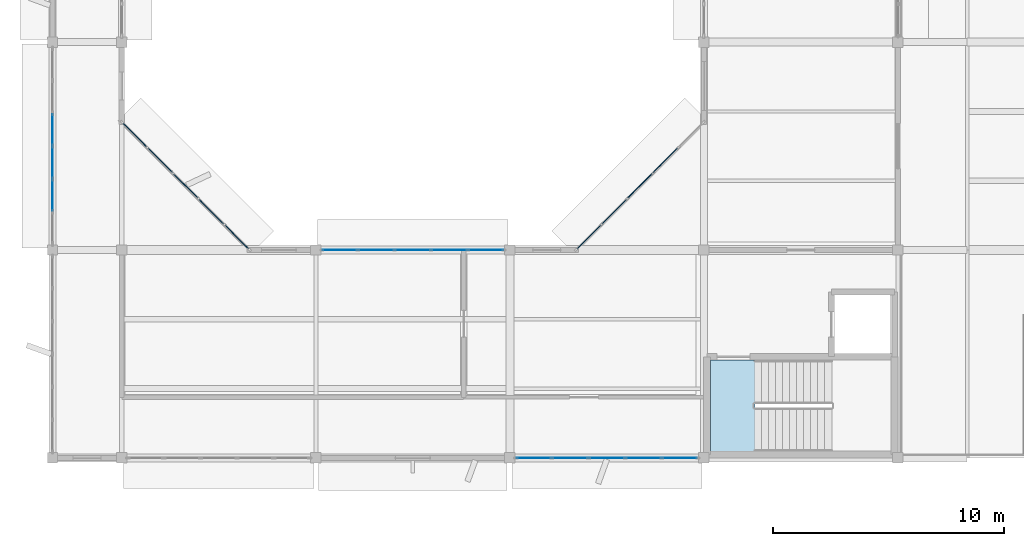
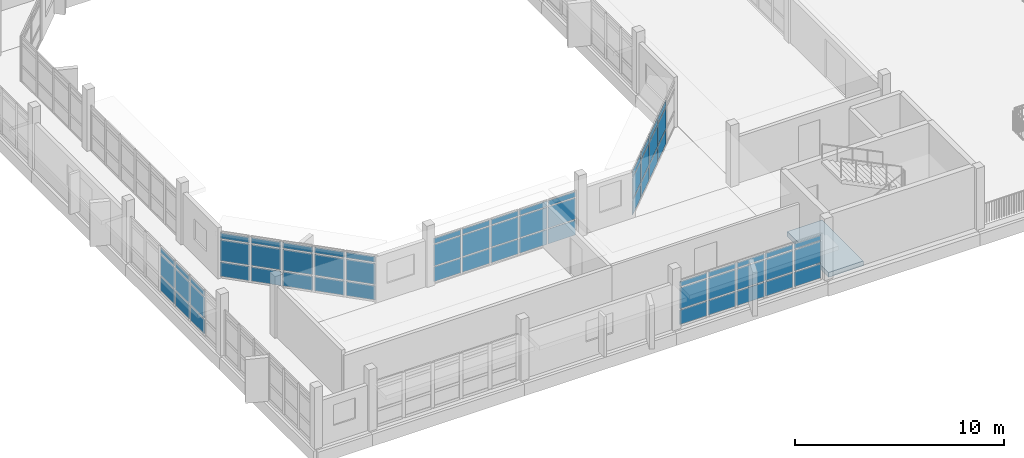
# One storey, part 17 of 42: 66 plates, 1 slab, 5 elements without a shape of their own.
"""IFC4 building model written with IfcOpenShell, lengths in metres."""

from ifc_helpers import new_model, si_unit, direction, frame, origin, origin_2d, place, context, subcontext, project, spatial, polyline, rectangle, outline, extrude, material, layer, layer_set, type_object, element, aggregate, save


model = new_model("IFC4")

# Units and contexts
model_context = context("Model", 3, precision=1e-05, world=origin(), true_north=direction((0.0, 1.0)))
body_context = subcontext(model_context, "Body", "Model", "MODEL_VIEW")
ifc_project = project(units=[si_unit("LENGTHUNIT", "METRE"), si_unit("AREAUNIT", "SQUARE_METRE"), si_unit("VOLUMEUNIT", "CUBIC_METRE"), si_unit("PLANEANGLEUNIT", "RADIAN"), si_unit("MASSUNIT", "GRAM", prefix="KILO")], contexts=[model_context])

# Site, building, storey
site_placement = place(None, origin())
site = spatial("IfcSite", under=ifc_project, at=site_placement, CompositionType="ELEMENT")
building_placement = place(site_placement, origin())
building = spatial("IfcBuilding", under=site, at=building_placement, Name="Vanh Quang Courtyard School", CompositionType="ELEMENT")
storey_placement = place(building_placement, frame((0.0, 0.0, 15.0)))
storey = spatial("IfcBuildingStorey", under=building, at=storey_placement, Name="L04", CompositionType="ELEMENT", Elevation=15.0)

# Curtain wall, plates
ifc_material_1 = material(Name="Thermally broken aluminium unitised curtain wall", Category="aluminium")
curtain_wall_type_1 = type_object("IfcCurtainWallType", Name="CW-SYS-19", PredefinedType="NOTDEFINED", material=ifc_material_1)
curtain_wall_1_placement = place(storey_placement, origin())
curtain_wall_1 = element("IfcCurtainWall", 1, at=curtain_wall_1_placement, inside=storey, type_object=curtain_wall_type_1, Name="Curtain Wall CW-19 (L04)", PredefinedType="NOTDEFINED")
ifc_material_2 = material(Name="Low-E laminated double glazing", Category="glass")
ifc_layer_1 = layer(ifc_material_2, 0.028076171875)
ifc_layer_set_1 = layer_set([ifc_layer_1], Name="Low-E laminated double glazing")
plate_type_1 = type_object("IfcPlateType", Name="CW-PNL-28", PredefinedType="CURTAIN_PANEL", material=ifc_layer_set_1)
plate_1_placement = place(storey_placement, frame((50.241455078125, 41.39990234375, 0.06005859375), z_axis=(0.0, 0.0, 1.0), x_axis=(1.0, 0.0, 0.0)))
plate_1 = element("IfcPlate", 2, at=plate_1_placement, type_object=plate_type_1, Name="CW-19 panel 1.1", PredefinedType="CURTAIN_PANEL", context=body_context, shape_type="SweptSolid", body=[
    extrude(rectangle(XDim=1.496826171875, YDim=0.028076171875, at=origin_2d()), origin(), (0.0, 0.0, 1.0), 0.860107421875),
])
plate_2_placement = place(storey_placement, frame((50.241455078125, 41.39990234375, 0.97998046875), z_axis=(0.0, 0.0, 1.0), x_axis=(1.0, 0.0, 0.0)))
plate_2 = element("IfcPlate", 3, at=plate_2_placement, type_object=plate_type_1, Name="CW-19 panel 1.2", PredefinedType="CURTAIN_PANEL", context=body_context, shape_type="SweptSolid", body=[
    extrude(rectangle(XDim=1.496826171875, YDim=0.028076171875, at=origin_2d()), origin(), (0.0, 0.0, 1.0), 1.239990234375),
])
plate_3_placement = place(storey_placement, frame((50.241455078125, 41.39990234375, 2.280029296875), z_axis=(0.0, 0.0, 1.0), x_axis=(1.0, 0.0, 0.0)))
plate_3 = element("IfcPlate", 4, at=plate_3_placement, type_object=plate_type_1, Name="CW-19 panel 1.3", PredefinedType="CURTAIN_PANEL", context=body_context, shape_type="SweptSolid", body=[
    extrude(rectangle(XDim=1.496826171875, YDim=0.028076171875, at=origin_2d()), origin(), (0.0, 0.0, 1.0), 0.31005859375),
])
plate_4_placement = place(storey_placement, frame((51.813232421875, 41.39990234375, 0.06005859375), z_axis=(0.0, 0.0, 1.0), x_axis=(1.0, 0.0, 0.0)))
plate_4 = element("IfcPlate", 5, at=plate_4_placement, type_object=plate_type_1, Name="CW-19 panel 2.1", PredefinedType="CURTAIN_PANEL", context=body_context, shape_type="SweptSolid", body=[
    extrude(rectangle(XDim=1.52685546875, YDim=0.028076171875, at=origin_2d()), origin(), (0.0, 0.0, 1.0), 0.860107421875),
])
plate_5_placement = place(storey_placement, frame((51.813232421875, 41.39990234375, 0.97998046875), z_axis=(0.0, 0.0, 1.0), x_axis=(1.0, 0.0, 0.0)))
plate_5 = element("IfcPlate", 6, at=plate_5_placement, type_object=plate_type_1, Name="CW-19 panel 2.2", PredefinedType="CURTAIN_PANEL", context=body_context, shape_type="SweptSolid", body=[
    extrude(rectangle(XDim=1.52685546875, YDim=0.028076171875, at=origin_2d()), origin(), (0.0, 0.0, 1.0), 1.239990234375),
])
plate_6_placement = place(storey_placement, frame((51.813232421875, 41.39990234375, 2.280029296875), z_axis=(0.0, 0.0, 1.0), x_axis=(1.0, 0.0, 0.0)))
plate_6 = element("IfcPlate", 7, at=plate_6_placement, type_object=plate_type_1, Name="CW-19 panel 2.3", PredefinedType="CURTAIN_PANEL", context=body_context, shape_type="SweptSolid", body=[
    extrude(rectangle(XDim=1.52685546875, YDim=0.028076171875, at=origin_2d()), origin(), (0.0, 0.0, 1.0), 0.31005859375),
])
plate_7_placement = place(storey_placement, frame((53.39990234375, 41.39990234375, 0.06005859375), z_axis=(0.0, 0.0, 1.0), x_axis=(1.0, 0.0, 0.0)))
plate_7 = element("IfcPlate", 8, at=plate_7_placement, type_object=plate_type_1, Name="CW-19 panel 3.1", PredefinedType="CURTAIN_PANEL", context=body_context, shape_type="SweptSolid", body=[
    extrude(rectangle(XDim=1.52685546875, YDim=0.028076171875, at=origin_2d()), origin(), (0.0, 0.0, 1.0), 0.860107421875),
])
plate_8_placement = place(storey_placement, frame((53.39990234375, 41.39990234375, 0.97998046875), z_axis=(0.0, 0.0, 1.0), x_axis=(1.0, 0.0, 0.0)))
plate_8 = element("IfcPlate", 9, at=plate_8_placement, type_object=plate_type_1, Name="CW-19 panel 3.2", PredefinedType="CURTAIN_PANEL", context=body_context, shape_type="SweptSolid", body=[
    extrude(rectangle(XDim=1.52685546875, YDim=0.028076171875, at=origin_2d()), origin(), (0.0, 0.0, 1.0), 1.239990234375),
])
plate_9_placement = place(storey_placement, frame((53.39990234375, 41.39990234375, 2.280029296875), z_axis=(0.0, 0.0, 1.0), x_axis=(1.0, 0.0, 0.0)))
plate_9 = element("IfcPlate", 10, at=plate_9_placement, type_object=plate_type_1, Name="CW-19 panel 3.3", PredefinedType="CURTAIN_PANEL", context=body_context, shape_type="SweptSolid", body=[
    extrude(rectangle(XDim=1.52685546875, YDim=0.028076171875, at=origin_2d()), origin(), (0.0, 0.0, 1.0), 0.31005859375),
])
plate_10_placement = place(storey_placement, frame((54.98681640625, 41.39990234375, 0.06005859375), z_axis=(0.0, 0.0, 1.0), x_axis=(1.0, 0.0, 0.0)))
plate_10 = element("IfcPlate", 11, at=plate_10_placement, type_object=plate_type_1, Name="CW-19 panel 4.1", PredefinedType="CURTAIN_PANEL", context=body_context, shape_type="SweptSolid", body=[
    extrude(rectangle(XDim=1.52685546875, YDim=0.028076171875, at=origin_2d()), origin(), (0.0, 0.0, 1.0), 0.860107421875),
])
plate_11_placement = place(storey_placement, frame((54.98681640625, 41.39990234375, 0.97998046875), z_axis=(0.0, 0.0, 1.0), x_axis=(1.0, 0.0, 0.0)))
plate_11 = element("IfcPlate", 12, at=plate_11_placement, type_object=plate_type_1, Name="CW-19 panel 4.2", PredefinedType="CURTAIN_PANEL", context=body_context, shape_type="SweptSolid", body=[
    extrude(rectangle(XDim=1.52685546875, YDim=0.028076171875, at=origin_2d()), origin(), (0.0, 0.0, 1.0), 1.239990234375),
])
plate_12_placement = place(storey_placement, frame((54.98681640625, 41.39990234375, 2.280029296875), z_axis=(0.0, 0.0, 1.0), x_axis=(1.0, 0.0, 0.0)))
plate_12 = element("IfcPlate", 13, at=plate_12_placement, type_object=plate_type_1, Name="CW-19 panel 4.3", PredefinedType="CURTAIN_PANEL", context=body_context, shape_type="SweptSolid", body=[
    extrude(rectangle(XDim=1.52685546875, YDim=0.028076171875, at=origin_2d()), origin(), (0.0, 0.0, 1.0), 0.31005859375),
])
plate_13_placement = place(storey_placement, frame((56.55859375, 41.39990234375, 0.06005859375), z_axis=(0.0, 0.0, 1.0), x_axis=(1.0, 0.0, 0.0)))
plate_13 = element("IfcPlate", 14, at=plate_13_placement, type_object=plate_type_1, Name="CW-19 panel 5.1", PredefinedType="CURTAIN_PANEL", context=body_context, shape_type="SweptSolid", body=[
    extrude(rectangle(XDim=1.496826171875, YDim=0.028076171875, at=origin_2d()), origin(), (0.0, 0.0, 1.0), 0.860107421875),
])
plate_14_placement = place(storey_placement, frame((56.55859375, 41.39990234375, 0.97998046875), z_axis=(0.0, 0.0, 1.0), x_axis=(1.0, 0.0, 0.0)))
plate_14 = element("IfcPlate", 15, at=plate_14_placement, type_object=plate_type_1, Name="CW-19 panel 5.2", PredefinedType="CURTAIN_PANEL", context=body_context, shape_type="SweptSolid", body=[
    extrude(rectangle(XDim=1.496826171875, YDim=0.028076171875, at=origin_2d()), origin(), (0.0, 0.0, 1.0), 1.239990234375),
])
plate_15_placement = place(storey_placement, frame((56.55859375, 41.39990234375, 2.280029296875), z_axis=(0.0, 0.0, 1.0), x_axis=(1.0, 0.0, 0.0)))
plate_15 = element("IfcPlate", 16, at=plate_15_placement, type_object=plate_type_1, Name="CW-19 panel 5.3", PredefinedType="CURTAIN_PANEL", context=body_context, shape_type="SweptSolid", body=[
    extrude(rectangle(XDim=1.496826171875, YDim=0.028076171875, at=origin_2d()), origin(), (0.0, 0.0, 1.0), 0.31005859375),
])
aggregate(curtain_wall_1, [plate_1, plate_2, plate_3, plate_4, plate_5, plate_6, plate_7, plate_8, plate_9, plate_10, plate_11, plate_12, plate_13, plate_14, plate_15])

curtain_wall_type_2 = type_object("IfcCurtainWallType", Name="CW-SYS-50", PredefinedType="NOTDEFINED", material=ifc_material_1)
curtain_wall_2_placement = place(storey_placement, origin())
curtain_wall_2 = element("IfcCurtainWall", 17, at=curtain_wall_2_placement, inside=storey, type_object=curtain_wall_type_2, Name="Curtain Wall CW-50 (L04)", PredefinedType="NOTDEFINED")
ifc_layer_2 = layer(ifc_material_2, 0.031982421875)
ifc_layer_set_2 = layer_set([ifc_layer_2], Name="Low-E laminated double glazing")
plate_type_2 = type_object("IfcPlateType", Name="CW-PNL-32", PredefinedType="CURTAIN_PANEL", material=ifc_layer_set_2)
plate_16_placement = place(storey_placement, frame((37.800048828125, 43.7666015625, 0.080078125), z_axis=(0.0, 0.0, 1.0), x_axis=(0.0, 1.0, 0.0)))
plate_16 = element("IfcPlate", 18, at=plate_16_placement, type_object=plate_type_2, Name="CW-50 panel 2.1", PredefinedType="CURTAIN_PANEL", context=body_context, shape_type="SweptSolid", body=[
    extrude(rectangle(XDim=1.34228515625, YDim=0.031982421875, at=origin_2d()), origin(), (0.0, 0.0, 1.0), 0.830078125),
])
plate_17_placement = place(storey_placement, frame((37.800048828125, 43.7666015625, 0.990234375), z_axis=(0.0, 0.0, 1.0), x_axis=(0.0, 1.0, 0.0)))
plate_17 = element("IfcPlate", 19, at=plate_17_placement, type_object=plate_type_2, Name="CW-50 panel 2.2", PredefinedType="CURTAIN_PANEL", context=body_context, shape_type="SweptSolid", body=[
    extrude(rectangle(XDim=1.34228515625, YDim=0.031982421875, at=origin_2d()), origin(), (0.0, 0.0, 1.0), 1.219970703125),
])
plate_18_placement = place(storey_placement, frame((37.800048828125, 43.7666015625, 2.2900390625), z_axis=(0.0, 0.0, 1.0), x_axis=(0.0, 1.0, 0.0)))
plate_18 = element("IfcPlate", 20, at=plate_18_placement, type_object=plate_type_2, Name="CW-50 panel 2.3", PredefinedType="CURTAIN_PANEL", context=body_context, shape_type="SweptSolid", body=[
    extrude(rectangle(XDim=1.34228515625, YDim=0.031982421875, at=origin_2d()), origin(), (0.0, 0.0, 1.0), 0.280029296875),
])
plate_19_placement = place(storey_placement, frame((37.800048828125, 45.188720703125, 0.080078125), z_axis=(0.0, 0.0, 1.0), x_axis=(0.0, 1.0, 0.0)))
plate_19 = element("IfcPlate", 21, at=plate_19_placement, type_object=plate_type_2, Name="CW-50 panel 3.1", PredefinedType="CURTAIN_PANEL", context=body_context, shape_type="SweptSolid", body=[
    extrude(rectangle(XDim=1.34228515625, YDim=0.031982421875, at=origin_2d()), origin(), (0.0, 0.0, 1.0), 0.830078125),
])
plate_20_placement = place(storey_placement, frame((37.800048828125, 45.188720703125, 0.990234375), z_axis=(0.0, 0.0, 1.0), x_axis=(0.0, 1.0, 0.0)))
plate_20 = element("IfcPlate", 22, at=plate_20_placement, type_object=plate_type_2, Name="CW-50 panel 3.2", PredefinedType="CURTAIN_PANEL", context=body_context, shape_type="SweptSolid", body=[
    extrude(rectangle(XDim=1.34228515625, YDim=0.031982421875, at=origin_2d()), origin(), (0.0, 0.0, 1.0), 1.219970703125),
])
plate_21_placement = place(storey_placement, frame((37.800048828125, 45.188720703125, 2.2900390625), z_axis=(0.0, 0.0, 1.0), x_axis=(0.0, 1.0, 0.0)))
plate_21 = element("IfcPlate", 23, at=plate_21_placement, type_object=plate_type_2, Name="CW-50 panel 3.3", PredefinedType="CURTAIN_PANEL", context=body_context, shape_type="SweptSolid", body=[
    extrude(rectangle(XDim=1.34228515625, YDim=0.031982421875, at=origin_2d()), origin(), (0.0, 0.0, 1.0), 0.280029296875),
])
plate_22_placement = place(storey_placement, frame((37.800048828125, 46.611083984375, 0.080078125), z_axis=(0.0, 0.0, 1.0), x_axis=(0.0, 1.0, 0.0)))
plate_22 = element("IfcPlate", 24, at=plate_22_placement, type_object=plate_type_2, Name="CW-50 panel 4.1", PredefinedType="CURTAIN_PANEL", context=body_context, shape_type="SweptSolid", body=[
    extrude(rectangle(XDim=1.34228515625, YDim=0.031982421875, at=origin_2d()), origin(), (0.0, 0.0, 1.0), 0.830078125),
])
plate_23_placement = place(storey_placement, frame((37.800048828125, 46.611083984375, 0.990234375), z_axis=(0.0, 0.0, 1.0), x_axis=(0.0, 1.0, 0.0)))
plate_23 = element("IfcPlate", 25, at=plate_23_placement, type_object=plate_type_2, Name="CW-50 panel 4.2", PredefinedType="CURTAIN_PANEL", context=body_context, shape_type="SweptSolid", body=[
    extrude(rectangle(XDim=1.34228515625, YDim=0.031982421875, at=origin_2d()), origin(), (0.0, 0.0, 1.0), 1.219970703125),
])
plate_24_placement = place(storey_placement, frame((37.800048828125, 46.611083984375, 2.2900390625), z_axis=(0.0, 0.0, 1.0), x_axis=(0.0, 1.0, 0.0)))
plate_24 = element("IfcPlate", 26, at=plate_24_placement, type_object=plate_type_2, Name="CW-50 panel 4.3", PredefinedType="CURTAIN_PANEL", context=body_context, shape_type="SweptSolid", body=[
    extrude(rectangle(XDim=1.34228515625, YDim=0.031982421875, at=origin_2d()), origin(), (0.0, 0.0, 1.0), 0.280029296875),
])
aggregate(curtain_wall_2, [plate_16, plate_17, plate_18, plate_19, plate_20, plate_21, plate_22, plate_23, plate_24])

curtain_wall_3_placement = place(storey_placement, origin())
curtain_wall_3 = element("IfcCurtainWall", 27, at=curtain_wall_3_placement, inside=storey, type_object=curtain_wall_type_1, Name="Curtain Wall CW-19 (L04)", PredefinedType="NOTDEFINED")
plate_25_placement = place(storey_placement, frame((64.9560546875, 32.39990234375, 0.06982421875), z_axis=(0.0, 0.0, 1.0), x_axis=(-1.0, 0.0, 0.0)))
plate_25 = element("IfcPlate", 28, at=plate_25_placement, type_object=plate_type_2, Name="CW-19 panel 1.1", PredefinedType="CURTAIN_PANEL", context=body_context, shape_type="SweptSolid", body=[
    extrude(rectangle(XDim=1.481689453125, YDim=0.031982421875, at=origin_2d()), origin(), (0.0, 0.0, 1.0), 0.844970703125),
])
plate_26_placement = place(storey_placement, frame((64.9560546875, 32.39990234375, 0.985107421875), z_axis=(0.0, 0.0, 1.0), x_axis=(-1.0, 0.0, 0.0)))
plate_26 = element("IfcPlate", 29, at=plate_26_placement, type_object=plate_type_2, Name="CW-19 panel 1.2", PredefinedType="CURTAIN_PANEL", context=body_context, shape_type="SweptSolid", body=[
    extrude(rectangle(XDim=1.481689453125, YDim=0.031982421875, at=origin_2d()), origin(), (0.0, 0.0, 1.0), 1.22998046875),
])
plate_27_placement = place(storey_placement, frame((64.9560546875, 32.39990234375, 2.28515625), z_axis=(0.0, 0.0, 1.0), x_axis=(-1.0, 0.0, 0.0)))
plate_27 = element("IfcPlate", 30, at=plate_27_placement, type_object=plate_type_2, Name="CW-19 panel 1.3", PredefinedType="CURTAIN_PANEL", context=body_context, shape_type="SweptSolid", body=[
    extrude(rectangle(XDim=1.481689453125, YDim=0.031982421875, at=origin_2d()), origin(), (0.0, 0.0, 1.0), 0.294921875),
])
plate_28_placement = place(storey_placement, frame((63.38671875, 32.39990234375, 0.06982421875), z_axis=(0.0, 0.0, 1.0), x_axis=(-1.0, 0.0, 0.0)))
plate_28 = element("IfcPlate", 31, at=plate_28_placement, type_object=plate_type_2, Name="CW-19 panel 2.1", PredefinedType="CURTAIN_PANEL", context=body_context, shape_type="SweptSolid", body=[
    extrude(rectangle(XDim=1.516845703125, YDim=0.031982421875, at=origin_2d()), origin(), (0.0, 0.0, 1.0), 0.844970703125),
])
plate_29_placement = place(storey_placement, frame((63.38671875, 32.39990234375, 0.985107421875), z_axis=(0.0, 0.0, 1.0), x_axis=(-1.0, 0.0, 0.0)))
plate_29 = element("IfcPlate", 32, at=plate_29_placement, type_object=plate_type_2, Name="CW-19 panel 2.2", PredefinedType="CURTAIN_PANEL", context=body_context, shape_type="SweptSolid", body=[
    extrude(rectangle(XDim=1.516845703125, YDim=0.031982421875, at=origin_2d()), origin(), (0.0, 0.0, 1.0), 1.22998046875),
])
plate_30_placement = place(storey_placement, frame((63.38671875, 32.39990234375, 2.28515625), z_axis=(0.0, 0.0, 1.0), x_axis=(-1.0, 0.0, 0.0)))
plate_30 = element("IfcPlate", 33, at=plate_30_placement, type_object=plate_type_2, Name="CW-19 panel 2.3", PredefinedType="CURTAIN_PANEL", context=body_context, shape_type="SweptSolid", body=[
    extrude(rectangle(XDim=1.516845703125, YDim=0.031982421875, at=origin_2d()), origin(), (0.0, 0.0, 1.0), 0.294921875),
])
plate_31_placement = place(storey_placement, frame((61.800048828125, 32.39990234375, 0.06982421875), z_axis=(0.0, 0.0, 1.0), x_axis=(-1.0, 0.0, 0.0)))
plate_31 = element("IfcPlate", 34, at=plate_31_placement, type_object=plate_type_2, Name="CW-19 panel 3.1", PredefinedType="CURTAIN_PANEL", context=body_context, shape_type="SweptSolid", body=[
    extrude(rectangle(XDim=1.516845703125, YDim=0.031982421875, at=origin_2d()), origin(), (0.0, 0.0, 1.0), 0.844970703125),
])
plate_32_placement = place(storey_placement, frame((61.800048828125, 32.39990234375, 0.985107421875), z_axis=(0.0, 0.0, 1.0), x_axis=(-1.0, 0.0, 0.0)))
plate_32 = element("IfcPlate", 35, at=plate_32_placement, type_object=plate_type_2, Name="CW-19 panel 3.2", PredefinedType="CURTAIN_PANEL", context=body_context, shape_type="SweptSolid", body=[
    extrude(rectangle(XDim=1.516845703125, YDim=0.031982421875, at=origin_2d()), origin(), (0.0, 0.0, 1.0), 1.22998046875),
])
plate_33_placement = place(storey_placement, frame((61.800048828125, 32.39990234375, 2.28515625), z_axis=(0.0, 0.0, 1.0), x_axis=(-1.0, 0.0, 0.0)))
plate_33 = element("IfcPlate", 36, at=plate_33_placement, type_object=plate_type_2, Name="CW-19 panel 3.3", PredefinedType="CURTAIN_PANEL", context=body_context, shape_type="SweptSolid", body=[
    extrude(rectangle(XDim=1.516845703125, YDim=0.031982421875, at=origin_2d()), origin(), (0.0, 0.0, 1.0), 0.294921875),
])
plate_34_placement = place(storey_placement, frame((60.213134765625, 32.39990234375, 0.06982421875), z_axis=(0.0, 0.0, 1.0), x_axis=(-1.0, 0.0, 0.0)))
plate_34 = element("IfcPlate", 37, at=plate_34_placement, type_object=plate_type_2, Name="CW-19 panel 4.1", PredefinedType="CURTAIN_PANEL", context=body_context, shape_type="SweptSolid", body=[
    extrude(rectangle(XDim=1.516845703125, YDim=0.031982421875, at=origin_2d()), origin(), (0.0, 0.0, 1.0), 0.844970703125),
])
plate_35_placement = place(storey_placement, frame((60.213134765625, 32.39990234375, 0.985107421875), z_axis=(0.0, 0.0, 1.0), x_axis=(-1.0, 0.0, 0.0)))
plate_35 = element("IfcPlate", 38, at=plate_35_placement, type_object=plate_type_2, Name="CW-19 panel 4.2", PredefinedType="CURTAIN_PANEL", context=body_context, shape_type="SweptSolid", body=[
    extrude(rectangle(XDim=1.516845703125, YDim=0.031982421875, at=origin_2d()), origin(), (0.0, 0.0, 1.0), 1.22998046875),
])
plate_36_placement = place(storey_placement, frame((60.213134765625, 32.39990234375, 2.28515625), z_axis=(0.0, 0.0, 1.0), x_axis=(-1.0, 0.0, 0.0)))
plate_36 = element("IfcPlate", 39, at=plate_36_placement, type_object=plate_type_2, Name="CW-19 panel 4.3", PredefinedType="CURTAIN_PANEL", context=body_context, shape_type="SweptSolid", body=[
    extrude(rectangle(XDim=1.516845703125, YDim=0.031982421875, at=origin_2d()), origin(), (0.0, 0.0, 1.0), 0.294921875),
])
plate_37_placement = place(storey_placement, frame((58.643798828125, 32.39990234375, 0.06982421875), z_axis=(0.0, 0.0, 1.0), x_axis=(-1.0, 0.0, 0.0)))
plate_37 = element("IfcPlate", 40, at=plate_37_placement, type_object=plate_type_2, Name="CW-19 panel 5.1", PredefinedType="CURTAIN_PANEL", context=body_context, shape_type="SweptSolid", body=[
    extrude(rectangle(XDim=1.481689453125, YDim=0.031982421875, at=origin_2d()), origin(), (0.0, 0.0, 1.0), 0.844970703125),
])
plate_38_placement = place(storey_placement, frame((58.643798828125, 32.39990234375, 0.985107421875), z_axis=(0.0, 0.0, 1.0), x_axis=(-1.0, 0.0, 0.0)))
plate_38 = element("IfcPlate", 41, at=plate_38_placement, type_object=plate_type_2, Name="CW-19 panel 5.2", PredefinedType="CURTAIN_PANEL", context=body_context, shape_type="SweptSolid", body=[
    extrude(rectangle(XDim=1.481689453125, YDim=0.031982421875, at=origin_2d()), origin(), (0.0, 0.0, 1.0), 1.22998046875),
])
plate_39_placement = place(storey_placement, frame((58.643798828125, 32.39990234375, 2.28515625), z_axis=(0.0, 0.0, 1.0), x_axis=(-1.0, 0.0, 0.0)))
plate_39 = element("IfcPlate", 42, at=plate_39_placement, type_object=plate_type_2, Name="CW-19 panel 5.3", PredefinedType="CURTAIN_PANEL", context=body_context, shape_type="SweptSolid", body=[
    extrude(rectangle(XDim=1.481689453125, YDim=0.031982421875, at=origin_2d()), origin(), (0.0, 0.0, 1.0), 0.294921875),
])
aggregate(curtain_wall_3, [plate_25, plate_26, plate_27, plate_28, plate_29, plate_30, plate_31, plate_32, plate_33, plate_34, plate_35, plate_36, plate_37, plate_38, plate_39])

curtain_wall_type_3 = type_object("IfcCurtainWallType", Name="CW-SYS-51", PredefinedType="NOTDEFINED", material=ifc_material_1)
curtain_wall_4_placement = place(storey_placement, origin())
curtain_wall_4 = element("IfcCurtainWall", 43, at=curtain_wall_4_placement, inside=storey, type_object=curtain_wall_type_3, Name="Curtain Wall CW-51 (L04)", PredefinedType="NOTDEFINED")
plate_40_placement = place(storey_placement, frame((41.36865234375, 46.37548828125, 0.080078125), z_axis=(0.0, 0.0, 1.0), x_axis=(0.707106781187, -0.707106781187, 0.0)))
plate_40 = element("IfcPlate", 44, at=plate_40_placement, type_object=plate_type_2, Name="CW-51 panel 1.1", PredefinedType="CURTAIN_PANEL", context=body_context, shape_type="SweptSolid", body=[
    extrude(rectangle(XDim=1.447998046875, YDim=0.031982421875, at=origin_2d()), origin(), (0.0, 0.0, 1.0), 0.830078125),
])
plate_41_placement = place(storey_placement, frame((41.36865234375, 46.37548828125, 0.990234375), z_axis=(0.0, 0.0, 1.0), x_axis=(0.707106781187, -0.707106781187, 0.0)))
plate_41 = element("IfcPlate", 45, at=plate_41_placement, type_object=plate_type_2, Name="CW-51 panel 1.2", PredefinedType="CURTAIN_PANEL", context=body_context, shape_type="SweptSolid", body=[
    extrude(rectangle(XDim=1.447998046875, YDim=0.031982421875, at=origin_2d()), origin(), (0.0, 0.0, 1.0), 1.219970703125),
])
plate_42_placement = place(storey_placement, frame((41.36865234375, 46.37548828125, 2.2900390625), z_axis=(0.0, 0.0, 1.0), x_axis=(0.707106781187, -0.707106781187, 0.0)))
plate_42 = element("IfcPlate", 46, at=plate_42_placement, type_object=plate_type_2, Name="CW-51 panel 1.3", PredefinedType="CURTAIN_PANEL", context=body_context, shape_type="SweptSolid", body=[
    extrude(rectangle(XDim=1.447998046875, YDim=0.031982421875, at=origin_2d()), origin(), (0.0, 0.0, 1.0), 0.330078125),
])
plate_43_placement = place(storey_placement, frame((42.463134765625, 45.28076171875, 0.080078125), z_axis=(0.0, 0.0, 1.0), x_axis=(0.707106781187, -0.707106781187, 0.0)))
plate_43 = element("IfcPlate", 47, at=plate_43_placement, type_object=plate_type_2, Name="CW-51 panel 2.1", PredefinedType="CURTAIN_PANEL", context=body_context, shape_type="SweptSolid", body=[
    extrude(rectangle(XDim=1.488037109375, YDim=0.031982421875, at=origin_2d()), origin(), (0.0, 0.0, 1.0), 0.830078125),
])
plate_44_placement = place(storey_placement, frame((42.463134765625, 45.28076171875, 0.990234375), z_axis=(0.0, 0.0, 1.0), x_axis=(0.707106781187, -0.707106781187, 0.0)))
plate_44 = element("IfcPlate", 48, at=plate_44_placement, type_object=plate_type_2, Name="CW-51 panel 2.2", PredefinedType="CURTAIN_PANEL", context=body_context, shape_type="SweptSolid", body=[
    extrude(rectangle(XDim=1.488037109375, YDim=0.031982421875, at=origin_2d()), origin(), (0.0, 0.0, 1.0), 1.219970703125),
])
plate_45_placement = place(storey_placement, frame((42.463134765625, 45.28076171875, 2.2900390625), z_axis=(0.0, 0.0, 1.0), x_axis=(0.707106781187, -0.707106781187, 0.0)))
plate_45 = element("IfcPlate", 49, at=plate_45_placement, type_object=plate_type_2, Name="CW-51 panel 2.3", PredefinedType="CURTAIN_PANEL", context=body_context, shape_type="SweptSolid", body=[
    extrude(rectangle(XDim=1.488037109375, YDim=0.031982421875, at=origin_2d()), origin(), (0.0, 0.0, 1.0), 0.330078125),
])
plate_46_placement = place(storey_placement, frame((43.572021484375, 44.172119140625, 0.080078125), z_axis=(0.0, 0.0, 1.0), x_axis=(0.707106781187, -0.707106781187, 0.0)))
plate_46 = element("IfcPlate", 50, at=plate_46_placement, type_object=plate_type_2, Name="CW-51 panel 3.1", PredefinedType="CURTAIN_PANEL", context=body_context, shape_type="SweptSolid", body=[
    extrude(rectangle(XDim=1.488037109375, YDim=0.031982421875, at=origin_2d()), origin(), (0.0, 0.0, 1.0), 0.830078125),
])
plate_47_placement = place(storey_placement, frame((43.572021484375, 44.172119140625, 0.990234375), z_axis=(0.0, 0.0, 1.0), x_axis=(0.707106781187, -0.707106781187, 0.0)))
plate_47 = element("IfcPlate", 51, at=plate_47_placement, type_object=plate_type_2, Name="CW-51 panel 3.2", PredefinedType="CURTAIN_PANEL", context=body_context, shape_type="SweptSolid", body=[
    extrude(rectangle(XDim=1.488037109375, YDim=0.031982421875, at=origin_2d()), origin(), (0.0, 0.0, 1.0), 1.219970703125),
])
plate_48_placement = place(storey_placement, frame((43.572021484375, 44.172119140625, 2.2900390625), z_axis=(0.0, 0.0, 1.0), x_axis=(0.707106781187, -0.707106781187, 0.0)))
plate_48 = element("IfcPlate", 52, at=plate_48_placement, type_object=plate_type_2, Name="CW-51 panel 3.3", PredefinedType="CURTAIN_PANEL", context=body_context, shape_type="SweptSolid", body=[
    extrude(rectangle(XDim=1.488037109375, YDim=0.031982421875, at=origin_2d()), origin(), (0.0, 0.0, 1.0), 0.330078125),
])
plate_49_placement = place(storey_placement, frame((44.680908203125, 43.063232421875, 0.080078125), z_axis=(0.0, 0.0, 1.0), x_axis=(0.707106781187, -0.707106781187, 0.0)))
plate_49 = element("IfcPlate", 53, at=plate_49_placement, type_object=plate_type_2, Name="CW-51 panel 4.1", PredefinedType="CURTAIN_PANEL", context=body_context, shape_type="SweptSolid", body=[
    extrude(rectangle(XDim=1.488037109375, YDim=0.031982421875, at=origin_2d()), origin(), (0.0, 0.0, 1.0), 0.830078125),
])
plate_50_placement = place(storey_placement, frame((44.680908203125, 43.063232421875, 0.990234375), z_axis=(0.0, 0.0, 1.0), x_axis=(0.707106781187, -0.707106781187, 0.0)))
plate_50 = element("IfcPlate", 54, at=plate_50_placement, type_object=plate_type_2, Name="CW-51 panel 4.2", PredefinedType="CURTAIN_PANEL", context=body_context, shape_type="SweptSolid", body=[
    extrude(rectangle(XDim=1.488037109375, YDim=0.031982421875, at=origin_2d()), origin(), (0.0, 0.0, 1.0), 1.219970703125),
])
plate_51_placement = place(storey_placement, frame((44.680908203125, 43.063232421875, 2.2900390625), z_axis=(0.0, 0.0, 1.0), x_axis=(0.707106781187, -0.707106781187, 0.0)))
plate_51 = element("IfcPlate", 55, at=plate_51_placement, type_object=plate_type_2, Name="CW-51 panel 4.3", PredefinedType="CURTAIN_PANEL", context=body_context, shape_type="SweptSolid", body=[
    extrude(rectangle(XDim=1.488037109375, YDim=0.031982421875, at=origin_2d()), origin(), (0.0, 0.0, 1.0), 0.330078125),
])
plate_52_placement = place(storey_placement, frame((45.775390625, 41.968505859375, 0.080078125), z_axis=(0.0, 0.0, 1.0), x_axis=(0.707106781187, -0.707106781187, 0.0)))
plate_52 = element("IfcPlate", 56, at=plate_52_placement, type_object=plate_type_2, Name="CW-51 panel 5.1", PredefinedType="CURTAIN_PANEL", context=body_context, shape_type="SweptSolid", body=[
    extrude(rectangle(XDim=1.447998046875, YDim=0.031982421875, at=origin_2d()), origin(), (0.0, 0.0, 1.0), 0.830078125),
])
plate_53_placement = place(storey_placement, frame((45.775390625, 41.968505859375, 0.990234375), z_axis=(0.0, 0.0, 1.0), x_axis=(0.707106781187, -0.707106781187, 0.0)))
plate_53 = element("IfcPlate", 57, at=plate_53_placement, type_object=plate_type_2, Name="CW-51 panel 5.2", PredefinedType="CURTAIN_PANEL", context=body_context, shape_type="SweptSolid", body=[
    extrude(rectangle(XDim=1.447998046875, YDim=0.031982421875, at=origin_2d()), origin(), (0.0, 0.0, 1.0), 1.219970703125),
])
plate_54_placement = place(storey_placement, frame((45.775390625, 41.968505859375, 2.2900390625), z_axis=(0.0, 0.0, 1.0), x_axis=(0.707106781187, -0.707106781187, 0.0)))
plate_54 = element("IfcPlate", 58, at=plate_54_placement, type_object=plate_type_2, Name="CW-51 panel 5.3", PredefinedType="CURTAIN_PANEL", context=body_context, shape_type="SweptSolid", body=[
    extrude(rectangle(XDim=1.447998046875, YDim=0.031982421875, at=origin_2d()), origin(), (0.0, 0.0, 1.0), 0.330078125),
])
aggregate(curtain_wall_4, [plate_40, plate_41, plate_42, plate_43, plate_44, plate_45, plate_46, plate_47, plate_48, plate_49, plate_50, plate_51, plate_52, plate_53, plate_54])

curtain_wall_5_placement = place(storey_placement, origin())
curtain_wall_5 = element("IfcCurtainWall", 59, at=curtain_wall_5_placement, inside=storey, type_object=curtain_wall_type_3, Name="Curtain Wall CW-51 (L04)", PredefinedType="NOTDEFINED")
plate_55_placement = place(storey_placement, frame((61.022705078125, 41.966796875, 0.06982421875), z_axis=(0.0, 0.0, 1.0), x_axis=(0.707106781187, 0.707106781187, 0.0)))
plate_55 = element("IfcPlate", 60, at=plate_55_placement, type_object=plate_type_2, Name="CW-51 panel 1.1", PredefinedType="CURTAIN_PANEL", context=body_context, shape_type="SweptSolid", body=[
    extrude(rectangle(XDim=1.463134765625, YDim=0.031982421875, at=origin_2d()), origin(), (0.0, 0.0, 1.0), 0.844970703125),
])
plate_56_placement = place(storey_placement, frame((61.022705078125, 41.966796875, 0.985107421875), z_axis=(0.0, 0.0, 1.0), x_axis=(0.707106781187, 0.707106781187, 0.0)))
plate_56 = element("IfcPlate", 61, at=plate_56_placement, type_object=plate_type_2, Name="CW-51 panel 1.2", PredefinedType="CURTAIN_PANEL", context=body_context, shape_type="SweptSolid", body=[
    extrude(rectangle(XDim=1.463134765625, YDim=0.031982421875, at=origin_2d()), origin(), (0.0, 0.0, 1.0), 1.22998046875),
])
plate_57_placement = place(storey_placement, frame((61.022705078125, 41.966796875, 2.28515625), z_axis=(0.0, 0.0, 1.0), x_axis=(0.707106781187, 0.707106781187, 0.0)))
plate_57 = element("IfcPlate", 62, at=plate_57_placement, type_object=plate_type_2, Name="CW-51 panel 1.3", PredefinedType="CURTAIN_PANEL", context=body_context, shape_type="SweptSolid", body=[
    extrude(rectangle(XDim=1.463134765625, YDim=0.031982421875, at=origin_2d()), origin(), (0.0, 0.0, 1.0), 0.344970703125),
])
plate_58_placement = place(storey_placement, frame((62.119140625, 43.063232421875, 0.06982421875), z_axis=(0.0, 0.0, 1.0), x_axis=(0.707106781187, 0.707106781187, 0.0)))
plate_58 = element("IfcPlate", 63, at=plate_58_placement, type_object=plate_type_2, Name="CW-51 panel 2.1", PredefinedType="CURTAIN_PANEL", context=body_context, shape_type="SweptSolid", body=[
    extrude(rectangle(XDim=1.498046875, YDim=0.031982421875, at=origin_2d()), origin(), (0.0, 0.0, 1.0), 0.844970703125),
])
plate_59_placement = place(storey_placement, frame((62.119140625, 43.063232421875, 0.985107421875), z_axis=(0.0, 0.0, 1.0), x_axis=(0.707106781187, 0.707106781187, 0.0)))
plate_59 = element("IfcPlate", 64, at=plate_59_placement, type_object=plate_type_2, Name="CW-51 panel 2.2", PredefinedType="CURTAIN_PANEL", context=body_context, shape_type="SweptSolid", body=[
    extrude(rectangle(XDim=1.498046875, YDim=0.031982421875, at=origin_2d()), origin(), (0.0, 0.0, 1.0), 1.22998046875),
])
plate_60_placement = place(storey_placement, frame((62.119140625, 43.063232421875, 2.28515625), z_axis=(0.0, 0.0, 1.0), x_axis=(0.707106781187, 0.707106781187, 0.0)))
plate_60 = element("IfcPlate", 65, at=plate_60_placement, type_object=plate_type_2, Name="CW-51 panel 2.3", PredefinedType="CURTAIN_PANEL", context=body_context, shape_type="SweptSolid", body=[
    extrude(rectangle(XDim=1.498046875, YDim=0.031982421875, at=origin_2d()), origin(), (0.0, 0.0, 1.0), 0.344970703125),
])
plate_61_placement = place(storey_placement, frame((63.22802734375, 44.172119140625, 0.06982421875), z_axis=(0.0, 0.0, 1.0), x_axis=(0.707106781187, 0.707106781187, 0.0)))
plate_61 = element("IfcPlate", 66, at=plate_61_placement, type_object=plate_type_2, Name="CW-51 panel 3.1", PredefinedType="CURTAIN_PANEL", context=body_context, shape_type="SweptSolid", body=[
    extrude(rectangle(XDim=1.498046875, YDim=0.031982421875, at=origin_2d()), origin(), (0.0, 0.0, 1.0), 0.844970703125),
])
plate_62_placement = place(storey_placement, frame((63.22802734375, 44.172119140625, 0.985107421875), z_axis=(0.0, 0.0, 1.0), x_axis=(0.707106781187, 0.707106781187, 0.0)))
plate_62 = element("IfcPlate", 67, at=plate_62_placement, type_object=plate_type_2, Name="CW-51 panel 3.2", PredefinedType="CURTAIN_PANEL", context=body_context, shape_type="SweptSolid", body=[
    extrude(rectangle(XDim=1.498046875, YDim=0.031982421875, at=origin_2d()), origin(), (0.0, 0.0, 1.0), 1.22998046875),
])
plate_63_placement = place(storey_placement, frame((63.22802734375, 44.172119140625, 2.28515625), z_axis=(0.0, 0.0, 1.0), x_axis=(0.707106781187, 0.707106781187, 0.0)))
plate_63 = element("IfcPlate", 68, at=plate_63_placement, type_object=plate_type_2, Name="CW-51 panel 3.3", PredefinedType="CURTAIN_PANEL", context=body_context, shape_type="SweptSolid", body=[
    extrude(rectangle(XDim=1.498046875, YDim=0.031982421875, at=origin_2d()), origin(), (0.0, 0.0, 1.0), 0.344970703125),
])
plate_64_placement = place(storey_placement, frame((64.3369140625, 45.28076171875, 0.06982421875), z_axis=(0.0, 0.0, 1.0), x_axis=(0.707106781187, 0.707106781187, 0.0)))
plate_64 = element("IfcPlate", 69, at=plate_64_placement, type_object=plate_type_2, Name="CW-51 panel 4.1", PredefinedType="CURTAIN_PANEL", context=body_context, shape_type="SweptSolid", body=[
    extrude(rectangle(XDim=1.498046875, YDim=0.031982421875, at=origin_2d()), origin(), (0.0, 0.0, 1.0), 0.844970703125),
])
plate_65_placement = place(storey_placement, frame((64.3369140625, 45.28076171875, 0.985107421875), z_axis=(0.0, 0.0, 1.0), x_axis=(0.707106781187, 0.707106781187, 0.0)))
plate_65 = element("IfcPlate", 70, at=plate_65_placement, type_object=plate_type_2, Name="CW-51 panel 4.2", PredefinedType="CURTAIN_PANEL", context=body_context, shape_type="SweptSolid", body=[
    extrude(rectangle(XDim=1.498046875, YDim=0.031982421875, at=origin_2d()), origin(), (0.0, 0.0, 1.0), 1.22998046875),
])
plate_66_placement = place(storey_placement, frame((64.3369140625, 45.28076171875, 2.28515625), z_axis=(0.0, 0.0, 1.0), x_axis=(0.707106781187, 0.707106781187, 0.0)))
plate_66 = element("IfcPlate", 71, at=plate_66_placement, type_object=plate_type_2, Name="CW-51 panel 4.3", PredefinedType="CURTAIN_PANEL", context=body_context, shape_type="SweptSolid", body=[
    extrude(rectangle(XDim=1.498046875, YDim=0.031982421875, at=origin_2d()), origin(), (0.0, 0.0, 1.0), 0.344970703125),
])
aggregate(curtain_wall_5, [plate_55, plate_56, plate_57, plate_58, plate_59, plate_60, plate_61, plate_62, plate_63, plate_64, plate_65, plate_66])

# Slab
ifc_material_3 = material(Name="Concrete C30/37", Category="concrete")
ifc_layer_3 = layer(ifc_material_3, 0.280029296875)
ifc_layer_set_3 = layer_set([ifc_layer_3], Name="Concrete C30/37")
slab_type = type_object("IfcSlabType", Name="SLB-FLR-280", PredefinedType="FLOOR", material=ifc_layer_set_3)
slab_placement = place(storey_placement, frame((0.0, 0.0, -0.280029296875)))
element("IfcSlab", 72, at=slab_placement, inside=storey, type_object=slab_type, Name="Slab SF-02 (L04)", PredefinedType="FLOOR", context=body_context, shape_type="SweptSolid", body=[
    extrude(outline(polyline([(68.2099609375, 32.679931640625), (66.280029296875, 32.679931640625), (66.280029296875, 36.639892578125), (68.2099609375, 36.639892578125), (68.2099609375, 32.679931640625)])), origin(), (0.0, 0.0, 1.0), 0.280029296875),
])

save(model, "model.ifc")
